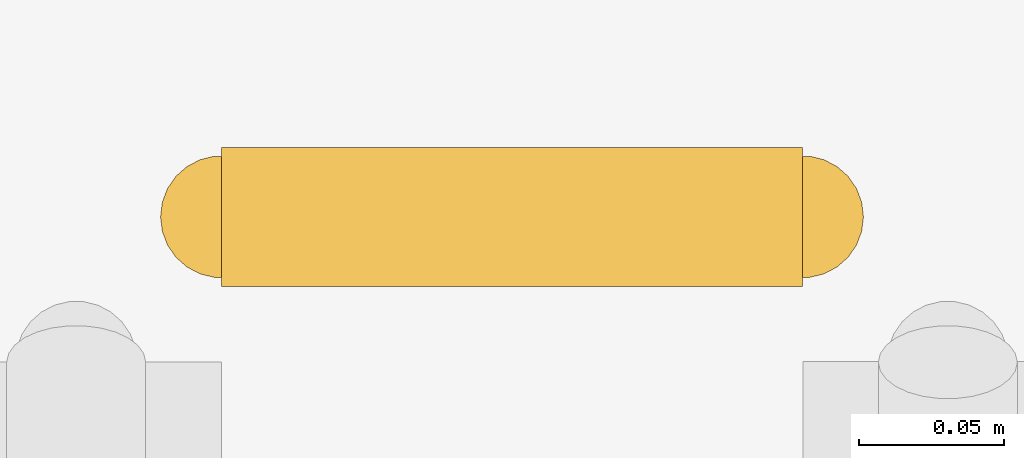
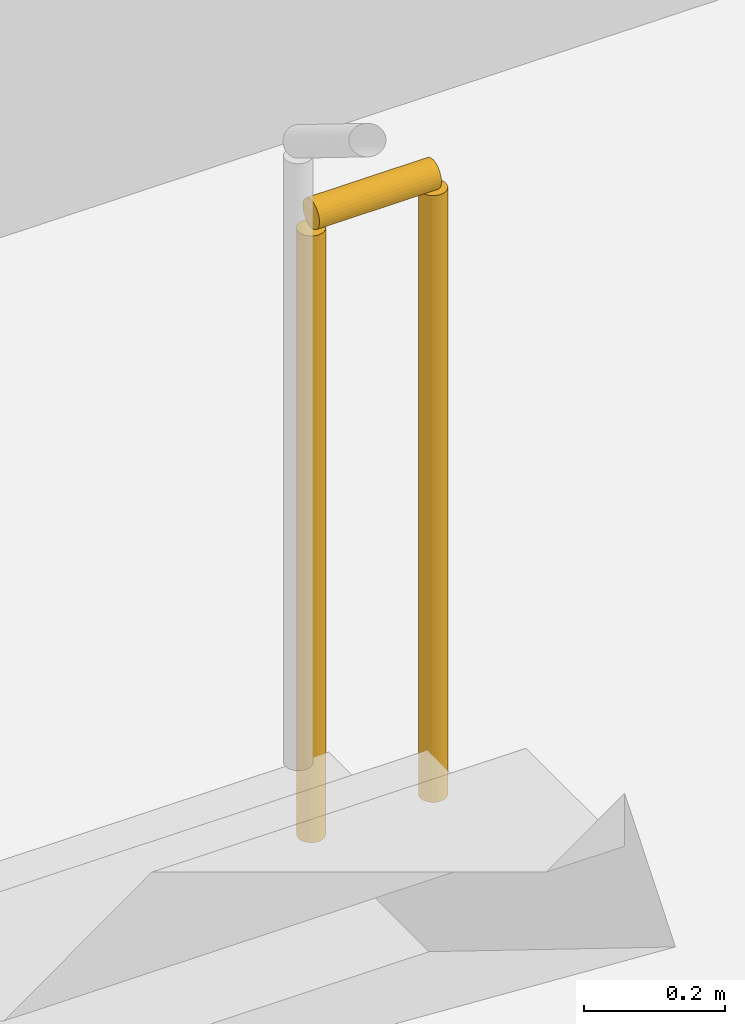
# One storey, part 6 of 7: 1 railing.
"""IFC4 building model written with IfcOpenShell, lengths in metres."""

import ifcopenshell
import ifcopenshell.guid

model = None  # the IFC model being written
_history = None  # IfcOwnerHistory: only IFC2X3 demands one
_inside = {}  # id of a spatial element -> (the spatial element, [elements in it])
_under = {}  # id of a project, library or spatial element -> (it, [spatial elements below it])
_declared = {}  # id of a project -> (the project, [libraries it declares])
_typed = {}  # id of a type object -> (the type object, [elements of that type])
_made_of = {}  # id of a material, layer set ... -> (it, [elements and type objects made of it])


def new_model(schema):
    """Start an empty IFC model of exactly this schema.

    Asked for "IFC4X3", IfcOpenShell would pick the latest addendum, in which some entities
    have other attributes; the version numbers below select the first issue.
    IFC2X3 requires an IfcOwnerHistory on every rooted entity: one is made here for all.
    """
    global model, _history
    if schema == "IFC4X3":
        model = ifcopenshell.file(schema_version=(4, 3, 0, 0))
    else:
        model = ifcopenshell.file(schema=schema)
    _inside.clear()
    _under.clear()
    _declared.clear()
    _typed.clear()
    _made_of.clear()
    _history = None
    if model.schema == "IFC2X3":
        org = make("IfcOrganization", Name="unknown")
        user = make(
            "IfcPersonAndOrganization",
            ThePerson=make("IfcPerson", FamilyName="unknown"),
            TheOrganization=org,
        )
        app = make(
            "IfcApplication",
            ApplicationDeveloper=org,
            Version="unknown",
            ApplicationFullName="unknown",
            ApplicationIdentifier="unknown",
        )
        _history = make(
            "IfcOwnerHistory",
            OwningUser=user,
            OwningApplication=app,
            ChangeAction="ADDED",
            CreationDate=0,
        )
    return model


def make(cls, **values):
    """One entity of the class cls with the attributes given. An attribute that is None is left unset."""
    return model.create_entity(
        cls, **{name: value for name, value in values.items() if value is not None}
    )


def rooted(cls, **values):
    """An entity with a GlobalId (a new one), such as an element, a storey or a relation."""
    return make(cls, GlobalId=ifcopenshell.guid.new(), OwnerHistory=_history, **values)


def si_unit(unit_type, name, prefix=None):
    """IfcSIUnit, for example si_unit("LENGTHUNIT", "METRE", prefix="MILLI")."""
    return make("IfcSIUnit", UnitType=unit_type, Prefix=prefix, Name=name)


def assignment(units):
    """IfcUnitAssignment: the units of a project."""
    return None if units is None else make("IfcUnitAssignment", Units=units)


def point(xyz):
    """IfcCartesianPoint."""
    return None if xyz is None else make("IfcCartesianPoint", Coordinates=xyz)


def direction(xyz):
    """IfcDirection."""
    return None if xyz is None else make("IfcDirection", DirectionRatios=xyz)


def frame(location, z_axis=None, x_axis=None):
    """IfcAxis2Placement3D, a coordinate frame: its origin and axes. An axis left out is left unset."""
    return make(
        "IfcAxis2Placement3D",
        Location=point(location),
        Axis=direction(z_axis),
        RefDirection=direction(x_axis),
    )


def frame_2d(location, x_axis=None):
    """IfcAxis2Placement2D, a coordinate frame in the plane: its origin and x axis."""
    return make(
        "IfcAxis2Placement2D", Location=point(location), RefDirection=direction(x_axis)
    )


def origin():
    """The frame at (0, 0, 0) with its axes left unset."""
    return frame((0.0, 0.0, 0.0))


def origin_2d():
    """The frame at (0, 0) in the plane with its x axis left unset."""
    return frame_2d((0.0, 0.0))


def place(relative_to, where):
    """IfcLocalPlacement: puts the frame where relative to a parent placement (None: the world)."""
    return make(
        "IfcLocalPlacement", PlacementRelTo=relative_to, RelativePlacement=where
    )


def context(
    kind, dimensions, precision=None, world=None, true_north=None, identifier=None
):
    """IfcGeometricRepresentationContext, for example the 3D "Model" context."""
    return make(
        "IfcGeometricRepresentationContext",
        ContextIdentifier=identifier,
        ContextType=kind,
        CoordinateSpaceDimension=dimensions,
        Precision=precision,
        WorldCoordinateSystem=world,
        TrueNorth=true_north,
    )


def subcontext(parent, identifier, kind, view, scale=None):
    """IfcGeometricRepresentationSubContext, for example "Body" below "Model"."""
    return make(
        "IfcGeometricRepresentationSubContext",
        ContextIdentifier=identifier,
        ContextType=kind,
        ParentContext=parent,
        TargetScale=scale,
        TargetView=view,
    )


def project(units=None, contexts=None):
    """IfcProject with its units and contexts."""
    return rooted(
        "IfcProject",
        Name="project",
        RepresentationContexts=contexts,
        UnitsInContext=assignment(units),
    )


def spatial(cls, under=None, at=None, **own):
    """A site, building, storey or space (cls), placed at a placement, below another one or the project."""
    s = rooted(cls, ObjectPlacement=at, **own)
    if under is not None:
        _under.setdefault(under.id(), (under, []))[1].append(s)
    return s


def profile(cls, at=None, kind="AREA", **sizes):
    """A parametric profile (cls). Its sizes go by their IFC names, for example OverallWidth=200.0."""
    return make(cls, ProfileType=kind, Position=at, **sizes)


def circle(**sizes):
    """IfcCircleProfileDef."""
    return profile("IfcCircleProfileDef", **sizes)


def extrude(swept, where, along, depth):
    """IfcExtrudedAreaSolid: the profile swept, set in the frame where, extruded along a direction by depth."""
    return make(
        "IfcExtrudedAreaSolid",
        SweptArea=swept,
        Position=where,
        ExtrudedDirection=direction(along),
        Depth=depth,
    )


def shape(context_of_items, identifier, shape_type, items):
    """IfcShapeRepresentation: the items that make up one representation, for example the "Body"."""
    return make(
        "IfcShapeRepresentation",
        ContextOfItems=context_of_items,
        RepresentationIdentifier=identifier,
        RepresentationType=shape_type,
        Items=items,
    )


def material(Name=None, Category=None):
    """IfcMaterial."""
    return make("IfcMaterial", Name=Name, Category=Category)


def made_of(thing, what):
    """Note that an element or type object is made of a material, layer set ...; save() writes the relation."""
    if what is not None:
        _made_of.setdefault(what.id(), (what, []))[1].append(thing)
    return thing


def type_object(cls, material=None, **own):
    """A type object (cls), such as IfcWallType, which elements share."""
    return made_of(rooted(cls, **own), material)


def element(
    cls,
    number,
    at=None,
    inside=None,
    cuts=None,
    type_object=None,
    material=None,
    context=None,
    identifier="Body",
    shape_type=None,
    held_by="IfcProductDefinitionShape",
    body=None,
    shapes=None,
    **own,
):
    """One element of the class cls, such as IfcWall. Its Tag is "e" and its number.

    at: its placement. inside: the storey or other place that contains it. cuts: it is an
    opening in that element (IfcRelVoidsElement). A single representation is given by context,
    identifier, shape_type and body (its items); several are given by shapes. held_by: the class
    of the entity that holds the representations. save() writes the other relations.
    """
    e = rooted(cls, Tag="e%d" % number, ObjectPlacement=at, **own)
    if body is not None:
        shapes = [shape(context, identifier, shape_type, body)]
    if shapes is not None:
        e.Representation = make(held_by, Representations=shapes)
    if inside is not None:
        _inside.setdefault(inside.id(), (inside, []))[1].append(e)
    if cuts is not None:
        rooted(
            "IfcRelVoidsElement", RelatingBuildingElement=cuts, RelatedOpeningElement=e
        )
    if type_object is not None:
        _typed.setdefault(type_object.id(), (type_object, []))[1].append(e)
    return made_of(e, material)


def aggregate(whole, parts):
    """IfcRelAggregates: a whole, such as a stair, and the parts it consists of."""
    return rooted("IfcRelAggregates", RelatingObject=whole, RelatedObjects=parts)


def save(model, path):
    """Write the relations noted so far, then the file.

    IfcRelAggregates (storeys below a building ...), IfcRelContainedInSpatialStructure (elements
    in a storey), IfcRelDefinesByType, IfcRelAssociatesMaterial and IfcRelDeclares: one each for
    every whole, place, type object, material and project.
    """
    for whole, parts in _under.values():
        aggregate(whole, parts)
    for where, things in _inside.values():
        rooted(
            "IfcRelContainedInSpatialStructure",
            RelatedElements=things,
            RelatingStructure=where,
        )
    for kind, things in _typed.values():
        rooted("IfcRelDefinesByType", RelatedObjects=things, RelatingType=kind)
    for what, things in _made_of.values():
        rooted("IfcRelAssociatesMaterial", RelatedObjects=things, RelatingMaterial=what)
    for by, libraries in _declared.values():
        rooted("IfcRelDeclares", RelatingContext=by, RelatedDefinitions=libraries)
    model.write(path)


model = new_model("IFC4")

# Units and contexts
model_context = context("Model", 3, precision=1e-05, world=origin(), true_north=direction((0.0, 1.0)))
body_context = subcontext(model_context, "Body", "Model", "MODEL_VIEW")
ifc_project = project(units=[si_unit("LENGTHUNIT", "METRE"), si_unit("AREAUNIT", "SQUARE_METRE"), si_unit("VOLUMEUNIT", "CUBIC_METRE"), si_unit("PLANEANGLEUNIT", "RADIAN"), si_unit("MASSUNIT", "GRAM", prefix="KILO")], contexts=[model_context])

# Site, building, storey
site_placement = place(None, origin())
site = spatial("IfcSite", under=ifc_project, at=site_placement, CompositionType="ELEMENT")
building_placement = place(site_placement, origin())
building = spatial("IfcBuilding", under=site, at=building_placement, Name="Lunette Opera House", CompositionType="ELEMENT")
storey_placement = place(building_placement, frame((0.0, 0.0, -10.5)))
storey = spatial("IfcBuildingStorey", under=building, at=storey_placement, Name="B2", CompositionType="ELEMENT", Elevation=-10.5)

# Railing
ifc_material = material(Name="Steel S355", Category="steel")
railing_type = type_object("IfcRailingType", Name="STAIR GUARD 1100", PredefinedType="GUARDRAIL", material=ifc_material)
railing_placement = place(storey_placement, frame((115.949951171875, 128.199951171875, 0.0)))
element("IfcRailing", 1, at=railing_placement, inside=storey, type_object=railing_type, Name="B2 ST12 stair guard 4", PredefinedType="GUARDRAIL", context=body_context, shape_type="SweptSolid", body=[
    extrude(circle(Radius=0.02392578125, at=origin_2d()), frame((0.0, 0.0, 1.076171875), z_axis=(1.0, 0.0, 0.0), x_axis=(0.0, 1.0, 0.0)), (0.0, 0.0, 1.0), 0.199951171875),
    extrude(circle(Radius=0.02099609375, at=origin_2d()), origin(), (0.0, 0.0, 1.0), 1.052001953125),
    extrude(circle(Radius=0.02099609375, at=origin_2d()), frame((0.199951171875, 0.0, 0.0)), (0.0, 0.0, 1.0), 1.052001953125),
])

save(model, "model.ifc")
